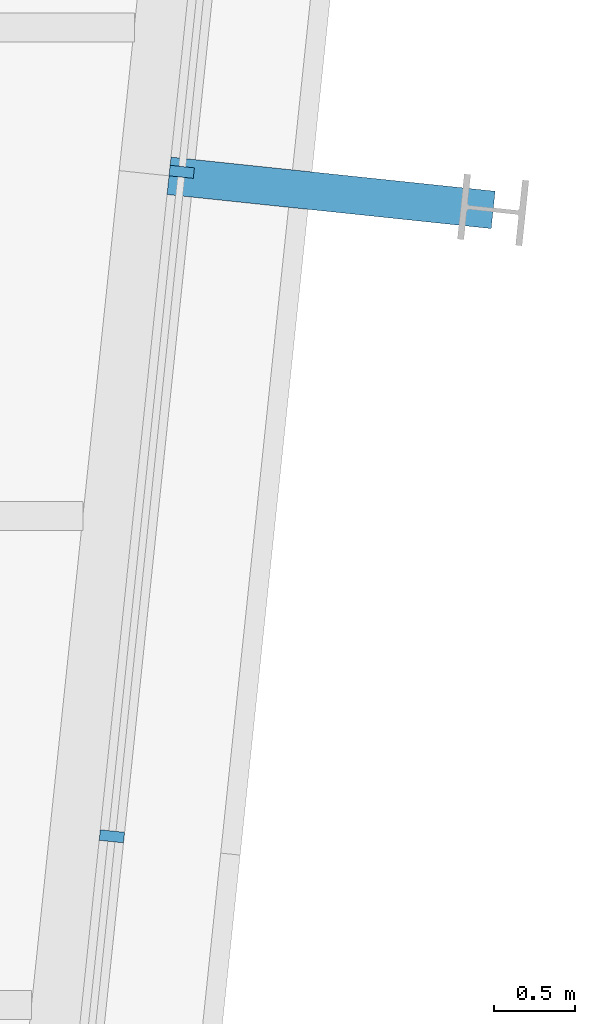
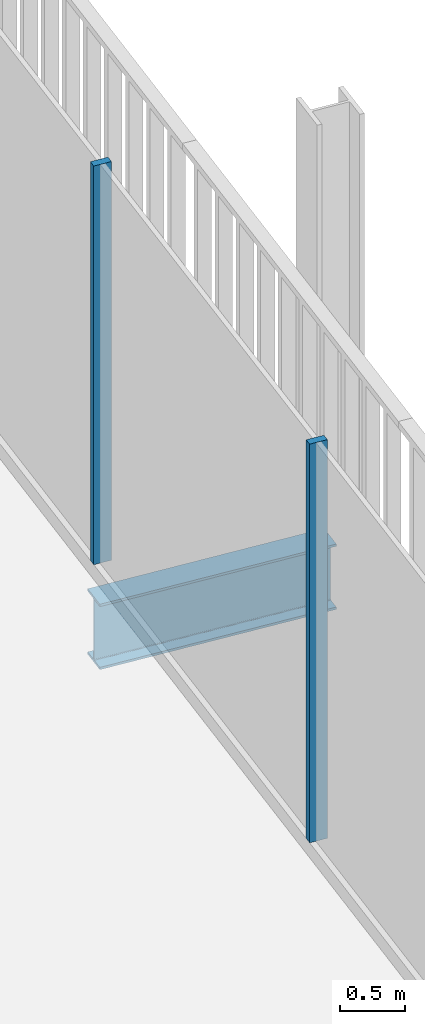
# One storey, part 11 of 20: 2 members, 1 beam, 1 element without a shape of its own.
"""IFC4 building model written with IfcOpenShell, lengths in metres."""

import ifcopenshell
import ifcopenshell.guid

model = None  # the IFC model being written
_history = None  # IfcOwnerHistory: only IFC2X3 demands one
_inside = {}  # id of a spatial element -> (the spatial element, [elements in it])
_under = {}  # id of a project, library or spatial element -> (it, [spatial elements below it])
_declared = {}  # id of a project -> (the project, [libraries it declares])
_typed = {}  # id of a type object -> (the type object, [elements of that type])
_made_of = {}  # id of a material, layer set ... -> (it, [elements and type objects made of it])


def new_model(schema):
    """Start an empty IFC model of exactly this schema.

    Asked for "IFC4X3", IfcOpenShell would pick the latest addendum, in which some entities
    have other attributes; the version numbers below select the first issue.
    IFC2X3 requires an IfcOwnerHistory on every rooted entity: one is made here for all.
    """
    global model, _history
    if schema == "IFC4X3":
        model = ifcopenshell.file(schema_version=(4, 3, 0, 0))
    else:
        model = ifcopenshell.file(schema=schema)
    _inside.clear()
    _under.clear()
    _declared.clear()
    _typed.clear()
    _made_of.clear()
    _history = None
    if model.schema == "IFC2X3":
        org = make("IfcOrganization", Name="unknown")
        user = make(
            "IfcPersonAndOrganization",
            ThePerson=make("IfcPerson", FamilyName="unknown"),
            TheOrganization=org,
        )
        app = make(
            "IfcApplication",
            ApplicationDeveloper=org,
            Version="unknown",
            ApplicationFullName="unknown",
            ApplicationIdentifier="unknown",
        )
        _history = make(
            "IfcOwnerHistory",
            OwningUser=user,
            OwningApplication=app,
            ChangeAction="ADDED",
            CreationDate=0,
        )
    return model


def make(cls, **values):
    """One entity of the class cls with the attributes given. An attribute that is None is left unset."""
    return model.create_entity(
        cls, **{name: value for name, value in values.items() if value is not None}
    )


def rooted(cls, **values):
    """An entity with a GlobalId (a new one), such as an element, a storey or a relation."""
    return make(cls, GlobalId=ifcopenshell.guid.new(), OwnerHistory=_history, **values)


def si_unit(unit_type, name, prefix=None):
    """IfcSIUnit, for example si_unit("LENGTHUNIT", "METRE", prefix="MILLI")."""
    return make("IfcSIUnit", UnitType=unit_type, Prefix=prefix, Name=name)


def assignment(units):
    """IfcUnitAssignment: the units of a project."""
    return None if units is None else make("IfcUnitAssignment", Units=units)


def point(xyz):
    """IfcCartesianPoint."""
    return None if xyz is None else make("IfcCartesianPoint", Coordinates=xyz)


def direction(xyz):
    """IfcDirection."""
    return None if xyz is None else make("IfcDirection", DirectionRatios=xyz)


def frame(location, z_axis=None, x_axis=None):
    """IfcAxis2Placement3D, a coordinate frame: its origin and axes. An axis left out is left unset."""
    return make(
        "IfcAxis2Placement3D",
        Location=point(location),
        Axis=direction(z_axis),
        RefDirection=direction(x_axis),
    )


def frame_2d(location, x_axis=None):
    """IfcAxis2Placement2D, a coordinate frame in the plane: its origin and x axis."""
    return make(
        "IfcAxis2Placement2D", Location=point(location), RefDirection=direction(x_axis)
    )


def origin():
    """The frame at (0, 0, 0) with its axes left unset."""
    return frame((0.0, 0.0, 0.0))


def origin_2d():
    """The frame at (0, 0) in the plane with its x axis left unset."""
    return frame_2d((0.0, 0.0))


def place(relative_to, where):
    """IfcLocalPlacement: puts the frame where relative to a parent placement (None: the world)."""
    return make(
        "IfcLocalPlacement", PlacementRelTo=relative_to, RelativePlacement=where
    )


def context(
    kind, dimensions, precision=None, world=None, true_north=None, identifier=None
):
    """IfcGeometricRepresentationContext, for example the 3D "Model" context."""
    return make(
        "IfcGeometricRepresentationContext",
        ContextIdentifier=identifier,
        ContextType=kind,
        CoordinateSpaceDimension=dimensions,
        Precision=precision,
        WorldCoordinateSystem=world,
        TrueNorth=true_north,
    )


def subcontext(parent, identifier, kind, view, scale=None):
    """IfcGeometricRepresentationSubContext, for example "Body" below "Model"."""
    return make(
        "IfcGeometricRepresentationSubContext",
        ContextIdentifier=identifier,
        ContextType=kind,
        ParentContext=parent,
        TargetScale=scale,
        TargetView=view,
    )


def project(units=None, contexts=None):
    """IfcProject with its units and contexts."""
    return rooted(
        "IfcProject",
        Name="project",
        RepresentationContexts=contexts,
        UnitsInContext=assignment(units),
    )


def spatial(cls, under=None, at=None, **own):
    """A site, building, storey or space (cls), placed at a placement, below another one or the project."""
    s = rooted(cls, ObjectPlacement=at, **own)
    if under is not None:
        _under.setdefault(under.id(), (under, []))[1].append(s)
    return s


def profile(cls, at=None, kind="AREA", **sizes):
    """A parametric profile (cls). Its sizes go by their IFC names, for example OverallWidth=200.0."""
    return make(cls, ProfileType=kind, Position=at, **sizes)


def rectangle(**sizes):
    """IfcRectangleProfileDef."""
    return profile("IfcRectangleProfileDef", **sizes)


def i_section(**sizes):
    """IfcIShapeProfileDef."""
    return profile("IfcIShapeProfileDef", **sizes)


def extrude(swept, where, along, depth):
    """IfcExtrudedAreaSolid: the profile swept, set in the frame where, extruded along a direction by depth."""
    return make(
        "IfcExtrudedAreaSolid",
        SweptArea=swept,
        Position=where,
        ExtrudedDirection=direction(along),
        Depth=depth,
    )


def shape(context_of_items, identifier, shape_type, items):
    """IfcShapeRepresentation: the items that make up one representation, for example the "Body"."""
    return make(
        "IfcShapeRepresentation",
        ContextOfItems=context_of_items,
        RepresentationIdentifier=identifier,
        RepresentationType=shape_type,
        Items=items,
    )


def material(Name=None, Category=None):
    """IfcMaterial."""
    return make("IfcMaterial", Name=Name, Category=Category)


def layer(
    of_material, thickness, ventilated=None, Name=None, Category=None, Priority=None
):
    """IfcMaterialLayer: one layer of a wall or slab, of a material (None: an air gap)."""
    return make(
        "IfcMaterialLayer",
        Material=of_material,
        LayerThickness=thickness,
        IsVentilated=ventilated,
        Name=Name,
        Category=Category,
        Priority=Priority,
    )


def layer_set(layers, Name=None):
    """IfcMaterialLayerSet."""
    return make("IfcMaterialLayerSet", MaterialLayers=layers, LayerSetName=Name)


def material_profile(
    of_material, cross_section, Name=None, Category=None, Priority=None
):
    """IfcMaterialProfile: a cross section and its material."""
    return make(
        "IfcMaterialProfile",
        Name=Name,
        Material=of_material,
        Profile=cross_section,
        Priority=Priority,
        Category=Category,
    )


def profile_set(profiles, Name=None, composite=None):
    """IfcMaterialProfileSet."""
    return make(
        "IfcMaterialProfileSet",
        Name=Name,
        MaterialProfiles=profiles,
        CompositeProfile=composite,
    )


def made_of(thing, what):
    """Note that an element or type object is made of a material, layer set ...; save() writes the relation."""
    if what is not None:
        _made_of.setdefault(what.id(), (what, []))[1].append(thing)
    return thing


def type_object(cls, material=None, **own):
    """A type object (cls), such as IfcWallType, which elements share."""
    return made_of(rooted(cls, **own), material)


def element(
    cls,
    number,
    at=None,
    inside=None,
    cuts=None,
    type_object=None,
    material=None,
    context=None,
    identifier="Body",
    shape_type=None,
    held_by="IfcProductDefinitionShape",
    body=None,
    shapes=None,
    **own,
):
    """One element of the class cls, such as IfcWall. Its Tag is "e" and its number.

    at: its placement. inside: the storey or other place that contains it. cuts: it is an
    opening in that element (IfcRelVoidsElement). A single representation is given by context,
    identifier, shape_type and body (its items); several are given by shapes. held_by: the class
    of the entity that holds the representations. save() writes the other relations.
    """
    e = rooted(cls, Tag="e%d" % number, ObjectPlacement=at, **own)
    if body is not None:
        shapes = [shape(context, identifier, shape_type, body)]
    if shapes is not None:
        e.Representation = make(held_by, Representations=shapes)
    if inside is not None:
        _inside.setdefault(inside.id(), (inside, []))[1].append(e)
    if cuts is not None:
        rooted(
            "IfcRelVoidsElement", RelatingBuildingElement=cuts, RelatedOpeningElement=e
        )
    if type_object is not None:
        _typed.setdefault(type_object.id(), (type_object, []))[1].append(e)
    return made_of(e, material)


def aggregate(whole, parts):
    """IfcRelAggregates: a whole, such as a stair, and the parts it consists of."""
    return rooted("IfcRelAggregates", RelatingObject=whole, RelatedObjects=parts)


def save(model, path):
    """Write the relations noted so far, then the file.

    IfcRelAggregates (storeys below a building ...), IfcRelContainedInSpatialStructure (elements
    in a storey), IfcRelDefinesByType, IfcRelAssociatesMaterial and IfcRelDeclares: one each for
    every whole, place, type object, material and project.
    """
    for whole, parts in _under.values():
        aggregate(whole, parts)
    for where, things in _inside.values():
        rooted(
            "IfcRelContainedInSpatialStructure",
            RelatedElements=things,
            RelatingStructure=where,
        )
    for kind, things in _typed.values():
        rooted("IfcRelDefinesByType", RelatedObjects=things, RelatingType=kind)
    for what, things in _made_of.values():
        rooted("IfcRelAssociatesMaterial", RelatedObjects=things, RelatingMaterial=what)
    for by, libraries in _declared.values():
        rooted("IfcRelDeclares", RelatingContext=by, RelatedDefinitions=libraries)
    model.write(path)


model = new_model("IFC4")

# Units and contexts
model_context = context("Model", 3, precision=1e-05, world=origin(), true_north=direction((0.0, 1.0)))
body_context = subcontext(model_context, "Body", "Model", "MODEL_VIEW")
ifc_project = project(units=[si_unit("LENGTHUNIT", "METRE"), si_unit("AREAUNIT", "SQUARE_METRE"), si_unit("VOLUMEUNIT", "CUBIC_METRE"), si_unit("PLANEANGLEUNIT", "RADIAN"), si_unit("MASSUNIT", "GRAM", prefix="KILO")], contexts=[model_context])

# Site, building, storey
site_placement = place(None, origin())
site = spatial("IfcSite", under=ifc_project, at=site_placement, CompositionType="ELEMENT")
building_placement = place(site_placement, origin())
building = spatial("IfcBuilding", under=site, at=building_placement, Name="Millrace Tower", CompositionType="ELEMENT")
storey_placement = place(building_placement, frame((0.0, 0.0, 295.5)))
storey = spatial("IfcBuildingStorey", under=building, at=storey_placement, Name="L68", CompositionType="ELEMENT", Elevation=295.5)

# Curtain wall, members
ifc_material_1 = material(Name="Aluminium and glass", Category="aluminium")
ifc_layer = layer(ifc_material_1, 0.14990234375)
ifc_layer_set = layer_set([ifc_layer], Name="Aluminium and glass")
curtain_wall_type = type_object("IfcCurtainWallType", Name="CW-1 office vision curtain wall", PredefinedType="NOTDEFINED", material=ifc_layer_set)
curtain_wall_placement = place(storey_placement, origin())
curtain_wall = element("IfcCurtainWall", 1, at=curtain_wall_placement, inside=storey, type_object=curtain_wall_type, Name="Curtain wall E-F04 L68", PredefinedType="NOTDEFINED")
ifc_material_2 = material(Name="Aluminium", Category="aluminium")
ifc_material_profile_1 = material_profile(ifc_material_2, rectangle(XDim=0.06494140625, YDim=0.14990234375, at=origin_2d()))
ifc_profile_set_1 = profile_set([ifc_material_profile_1], Name="Aluminium")
member_type = type_object("IfcMemberType", Name="CW-1 office vision curtain wall mullion", PredefinedType="MULLION", material=ifc_profile_set_1)
member_1_placement = place(storey_placement, frame((23.11767578125, 4.03515625, 0.139892578125), z_axis=(0.0, 0.0, 1.0), x_axis=(0.104528455196, 0.994521896217, 0.0)))
member_1 = element("IfcMember", 2, at=member_1_placement, type_object=member_type, Name="CW1 mullion E-F04.6", PredefinedType="MULLION", context=body_context, shape_type="SweptSolid", body=[
    extrude(rectangle(XDim=0.06494140625, YDim=0.14990234375, at=origin_2d()), origin(), (0.0, 0.0, 1.0), 3.760009765625),
])
member_2_placement = place(storey_placement, frame((23.546142578125, 8.11279296875, 0.139892578125), z_axis=(0.0, 0.0, 1.0), x_axis=(0.104528455196, 0.994521896217, 0.0)))
member_2 = element("IfcMember", 3, at=member_2_placement, type_object=member_type, Name="CW1 mullion E-F04.7", PredefinedType="MULLION", context=body_context, shape_type="SweptSolid", body=[
    extrude(rectangle(XDim=0.06494140625, YDim=0.14990234375, at=origin_2d()), origin(), (0.0, 0.0, 1.0), 3.760009765625),
])
aggregate(curtain_wall, [member_1, member_2])

# Beam
ifc_material_3 = material(Name="Steel ASTM A992 Grade 50", Category="steel")
ifc_material_profile_2 = material_profile(ifc_material_3, i_section(OverallWidth=0.23046875, OverallDepth=0.6171875, WebThickness=0.01318359375, FlangeThickness=0.022216796875, FilletRadius=0.012939453125, at=origin_2d()))
ifc_profile_set_2 = profile_set([ifc_material_profile_2], Name="Steel ASTM A992 Grade 50")
beam_type = type_object("IfcBeamType", Name="Link beam W24x94", PredefinedType="BEAM", material=ifc_profile_set_2)
beam_placement = place(storey_placement, frame((23.46826171875, 8.08837890625, -0.468505859375), z_axis=(0.994512808172, -0.104614886044, 0.0), x_axis=(0.104614886044, 0.994512808172, 0.0)))
element("IfcBeam", 4, at=beam_placement, inside=storey, type_object=beam_type, Name="LNK-E-L68-S1-10", PredefinedType="BEAM", context=body_context, shape_type="SweptSolid", body=[
    extrude(i_section(OverallWidth=0.23046875, OverallDepth=0.6171875, WebThickness=0.01318359375, FlangeThickness=0.022216796875, FilletRadius=0.012939453125, at=origin_2d()), origin(), (0.0, 0.0, 1.0), 2.0),
])

save(model, "model.ifc")
